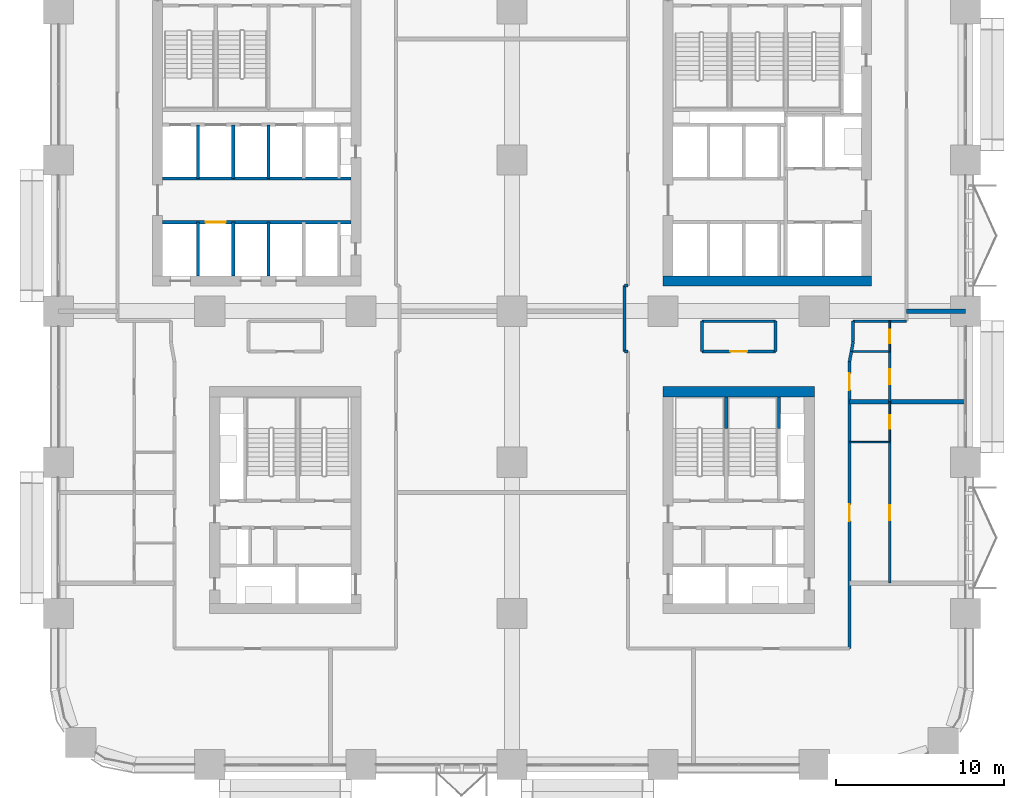
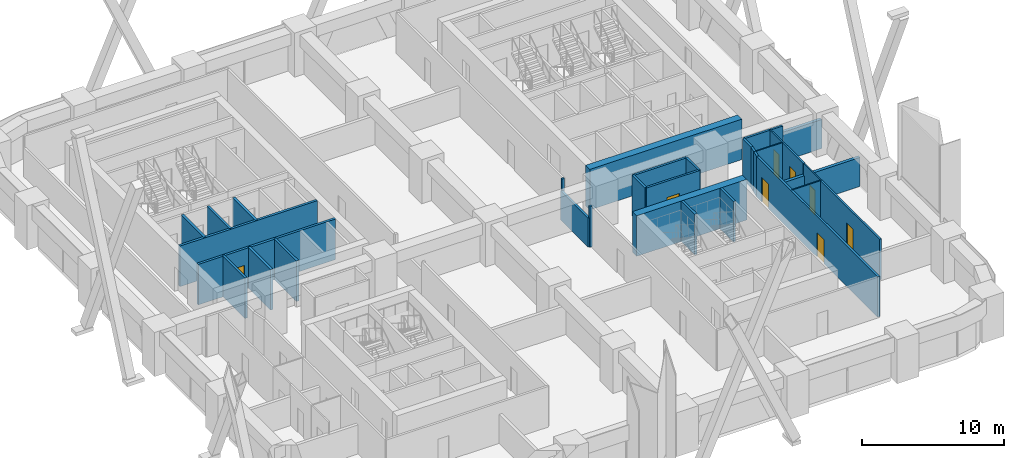
# One storey, part 17 of 24: 32 walls, 8 doors, 8 openings.
"""IFC4 building model written with IfcOpenShell, lengths in metres."""

from ifc_helpers import new_model, si_unit, direction, frame, frame_2d, origin, place, context, subcontext, project, spatial, rectangle, extrude, material, layer, layer_set, type_object, element, fill, save


model = new_model("IFC4")

# Units and contexts
model_context = context("Model", 3, precision=1e-05, world=origin(), true_north=direction((0.0, 1.0)))
body_context = subcontext(model_context, "Body", "Model", "MODEL_VIEW")
ifc_project = project(units=[si_unit("LENGTHUNIT", "METRE"), si_unit("AREAUNIT", "SQUARE_METRE"), si_unit("VOLUMEUNIT", "CUBIC_METRE"), si_unit("PLANEANGLEUNIT", "RADIAN"), si_unit("MASSUNIT", "GRAM", prefix="KILO")], contexts=[model_context])

# Site, building, storey
site_placement = place(None, origin())
site = spatial("IfcSite", under=ifc_project, at=site_placement, CompositionType="ELEMENT")
building_placement = place(site_placement, origin())
building = spatial("IfcBuilding", under=site, at=building_placement, Name="Tessera Arch", CompositionType="ELEMENT")
storey_placement = place(building_placement, frame((0.0, 0.0, 61.39990234375)))
storey = spatial("IfcBuildingStorey", under=building, at=storey_placement, Name="L13", CompositionType="ELEMENT", Elevation=61.39990234375)

# Walls
ifc_material_1 = material(Name="Concrete C70/85", Category="concrete")
ifc_layer_1 = layer(ifc_material_1, 0.60009765625)
ifc_layer_set_1 = layer_set([ifc_layer_1], Name="Core shell wall 600 C70-85")
wall_type_1 = type_object("IfcWallType", Name="Core shell wall 600 C70-85", PredefinedType="SHEAR", material=ifc_layer_set_1)
wall_1_placement = place(storey_placement, frame((36.0, 28.800048828125, 0.0), z_axis=(0.0, 0.0, 1.0), x_axis=(1.0, 0.0, 0.0)))
element("IfcWall", 1, at=wall_1_placement, inside=storey, type_object=wall_type_1, Name="L13 C1 core wall S", PredefinedType="SHEAR", context=body_context, shape_type="SweptSolid", body=[
    extrude(rectangle(XDim=12.39990234375, YDim=0.60009765625, at=frame_2d((6.199951171875, 0.0))), origin(), (0.0, 0.0, 1.0), 3.5),
])
wall_2_placement = place(storey_placement, frame((36.0, 22.199951171875, 0.0), z_axis=(0.0, 0.0, 1.0), x_axis=(1.0, 0.0, 0.0)))
element("IfcWall", 2, at=wall_2_placement, inside=storey, type_object=wall_type_1, Name="L13 C3 core wall N", PredefinedType="SHEAR", context=body_context, shape_type="SweptSolid", body=[
    extrude(rectangle(XDim=9.0, YDim=0.60009765625, at=frame_2d((4.5, 0.0))), origin(), (0.0, 0.0, 1.0), 3.5),
])
ifc_material_2 = material(Name="Gypsum board on deep steel stud with mineral wool", Category="steel")
ifc_layer_2 = layer(ifc_material_2, 0.175048828125)
ifc_layer_set_2 = layer_set([ifc_layer_2], Name="Corridor wall 175 EI 60")
wall_type_2 = type_object("IfcWallType", Name="Corridor wall 175 EI 60", PredefinedType="PARTITIONING", material=ifc_layer_set_2)
wall_3_placement = place(storey_placement, frame((33.699951171875, 24.590087890625, 0.0), z_axis=(0.0, 0.0, 1.0), x_axis=(1.0, 0.0, 0.0)))
element("IfcWall", 3, at=wall_3_placement, inside=storey, type_object=wall_type_2, Name="L13 partition 4", PredefinedType="PARTITIONING", context=body_context, shape_type="SweptSolid", body=[
    extrude(rectangle(XDim=0.199951171875, YDim=0.175048828125, at=frame_2d((0.10009765625, 0.0))), origin(), (0.0, 0.0, 1.0), 3.5),
])

# Wall, opening, door
wall_4_placement = place(storey_placement, frame((38.320068359375, 24.60009765625, 0.0), z_axis=(0.0, 0.0, 1.0), x_axis=(1.0, 0.0, 0.0)))
wall_4 = element("IfcWall", 4, at=wall_4_placement, inside=storey, type_object=wall_type_2, Name="L13 partition 6", PredefinedType="PARTITIONING", context=body_context, shape_type="SweptSolid", body=[
    extrude(rectangle(XDim=4.35986328125, YDim=0.175048828125, at=frame_2d((2.179931640625, 0.0))), origin(), (0.0, 0.0, 1.0), 3.5),
])
opening_1_placement = place(wall_4_placement, frame((1.679931640625, 0.0, 0.0)))
opening_1 = element("IfcOpeningElement", 5, at=opening_1_placement, cuts=wall_4, Name="Opening L13-D020", PredefinedType="OPENING", context=body_context, shape_type="SweptSolid", body=[
    extrude(rectangle(XDim=1.0, YDim=2.10009765625, at=frame_2d((0.5, 1.050048828125))), frame((0.0, 0.097412109375, 0.0), z_axis=(0.0, -1.0, 0.0), x_axis=(1.0, 0.0, 0.0)), (0.0, 0.0, 1.0), 0.195068359375),
])
ifc_material_3 = material(Name="Fire-rated door leaf")
door_type_1 = type_object("IfcDoorType", Name="Entrance door FD30S 1000 x 2100", OperationType="SINGLE_SWING_LEFT", PredefinedType="DOOR", material=ifc_material_3)
door_1_placement = place(opening_1_placement, origin())
door_1 = element("IfcDoor", 6, at=door_1_placement, inside=storey, type_object=door_type_1, Name="L13 door D020 type D03", OperationType="SINGLE_SWING_RIGHT", OverallHeight=2.10009765625, OverallWidth=1.0, PredefinedType="DOOR", context=body_context, shape_type="SweptSolid", body=[
    extrude(rectangle(XDim=1.0, YDim=2.10009765625, at=frame_2d((0.5, 1.050048828125))), frame((0.0, 0.02490234375, 0.0), z_axis=(0.0, -1.0, 0.0), x_axis=(1.0, 0.0, 0.0)), (0.0, 0.0, 1.0), 0.050048828125),
])
fill(opening_1, door_1)

# Walls
wall_5_placement = place(storey_placement, frame((38.320068359375, 26.39990234375, 0.0), z_axis=(0.0, 0.0, 1.0), x_axis=(1.0, 0.0, 0.0)))
element("IfcWall", 7, at=wall_5_placement, inside=storey, type_object=wall_type_2, Name="L13 partition 9", PredefinedType="PARTITIONING", context=body_context, shape_type="SweptSolid", body=[
    extrude(rectangle(XDim=4.35986328125, YDim=0.175048828125, at=frame_2d((2.179931640625, 0.0))), origin(), (0.0, 0.0, 1.0), 3.5),
])
wall_6_placement = place(storey_placement, frame((47.320068359375, 26.39990234375, 0.0), z_axis=(0.0, 0.0, 1.0), x_axis=(1.0, 0.0, 0.0)))
element("IfcWall", 8, at=wall_6_placement, inside=storey, type_object=wall_type_2, Name="L13 partition 10", PredefinedType="PARTITIONING", context=body_context, shape_type="SweptSolid", body=[
    extrude(rectangle(XDim=3.179931640625, YDim=0.175048828125, at=frame_2d((1.58984375, 0.0))), origin(), (0.0, 0.0, 1.0), 3.5),
])
wall_7_placement = place(storey_placement, frame((33.699951171875, 28.52001953125, 0.0), z_axis=(0.0, 0.0, 1.0), x_axis=(1.0, 0.0, 0.0)))
element("IfcWall", 9, at=wall_7_placement, inside=storey, type_object=wall_type_2, Name="L13 partition 12", PredefinedType="PARTITIONING", context=body_context, shape_type="SweptSolid", body=[
    extrude(rectangle(XDim=0.199951171875, YDim=0.175048828125, at=frame_2d((0.10009765625, 0.0))), origin(), (0.0, 0.0, 1.0), 3.5),
])
wall_8_placement = place(storey_placement, frame((33.699951171875, 24.590087890625, 0.0), z_axis=(0.0, 0.0, 1.0), x_axis=(0.0, 1.0, 0.0)))
element("IfcWall", 10, at=wall_8_placement, inside=storey, type_object=wall_type_2, Name="L13 partition 23", PredefinedType="PARTITIONING", context=body_context, shape_type="SweptSolid", body=[
    extrude(rectangle(XDim=3.929931640625, YDim=0.175048828125, at=frame_2d((1.96484375, 0.0))), origin(), (0.0, 0.0, 1.0), 2.5),
])
for number, where, z_axis, x_axis, name in (
    (11, (38.320068359375, 24.60009765625, 0.0), (0.0, 0.0, 1.0), (0.0, 1.0, 0.0), "L13 partition 26"),
    (12, (42.679931640625, 24.60009765625, 0.0), (0.0, 0.0, 1.0), (0.0, 1.0, 0.0), "L13 partition 27"),
):
    element("IfcWall", number, at=place(storey_placement, frame(where, z_axis=z_axis, x_axis=x_axis)), inside=storey, type_object=wall_type_2, Name=name, PredefinedType="PARTITIONING", context=body_context, shape_type="SweptSolid", body=[
        extrude(rectangle(XDim=1.7998046875, YDim=0.175048828125, at=frame_2d((0.89990234375, 0.0))), origin(), (0.0, 0.0, 1.0), 3.5),
    ])

# Wall, openings, doors
wall_9_placement = place(storey_placement, frame((47.10009765625, 6.89990234375, 0.0), z_axis=(0.0, 0.0, 1.0), x_axis=(0.0, 1.0, 0.0)))
wall_9 = element("IfcWall", 13, at=wall_9_placement, inside=storey, type_object=wall_type_2, Name="L13 partition 28", PredefinedType="PARTITIONING", context=body_context, shape_type="SweptSolid", body=[
    extrude(rectangle(XDim=17.090087890625, YDim=0.175048828125, at=frame_2d((8.544921875, 0.0))), origin(), (0.0, 0.0, 1.0), 3.5),
])
opening_2_placement = place(wall_9_placement, frame((7.60009765625, 0.0, 0.0)))
opening_2 = element("IfcOpeningElement", 14, at=opening_2_placement, cuts=wall_9, Name="Opening L13-D008", PredefinedType="OPENING", context=body_context, shape_type="SweptSolid", body=[
    extrude(rectangle(XDim=1.0, YDim=2.10009765625, at=frame_2d((0.5, 1.050048828125))), frame((0.0, 0.097412109375, 0.0), z_axis=(0.0, -1.0, 0.0), x_axis=(1.0, 0.0, 0.0)), (0.0, 0.0, 1.0), 0.195068359375),
])
opening_3_placement = place(wall_9_placement, frame((15.39501953125, 0.0, 0.0)))
opening_3 = element("IfcOpeningElement", 15, at=opening_3_placement, cuts=wall_9, Name="Opening L13-D016", PredefinedType="OPENING", context=body_context, shape_type="SweptSolid", body=[
    extrude(rectangle(XDim=1.0, YDim=2.10009765625, at=frame_2d((0.5, 1.050048828125))), frame((0.0, 0.097412109375, 0.0), z_axis=(0.0, -1.0, 0.0), x_axis=(1.0, 0.0, 0.0)), (0.0, 0.0, 1.0), 0.195068359375),
])
door_2_placement = place(opening_2_placement, origin())
door_2 = element("IfcDoor", 16, at=door_2_placement, inside=storey, type_object=door_type_1, Name="L13 door D008 type D03", OperationType="SINGLE_SWING_LEFT", OverallHeight=2.10009765625, OverallWidth=1.0, PredefinedType="DOOR", context=body_context, shape_type="SweptSolid", body=[
    extrude(rectangle(XDim=1.0, YDim=2.10009765625, at=frame_2d((0.5, 1.050048828125))), frame((0.0, 0.02490234375, 0.0), z_axis=(0.0, -1.0, 0.0), x_axis=(1.0, 0.0, 0.0)), (0.0, 0.0, 1.0), 0.050048828125),
])
fill(opening_2, door_2)
door_3_placement = place(opening_3_placement, origin())
door_3 = element("IfcDoor", 17, at=door_3_placement, inside=storey, type_object=door_type_1, Name="L13 door D016 type D03", OperationType="SINGLE_SWING_LEFT", OverallHeight=2.10009765625, OverallWidth=1.0, PredefinedType="DOOR", context=body_context, shape_type="SweptSolid", body=[
    extrude(rectangle(XDim=1.0, YDim=2.10009765625, at=frame_2d((0.5, 1.050048828125))), frame((0.0, 0.02490234375, 0.0), z_axis=(0.0, -1.0, 0.0), x_axis=(1.0, 0.0, 0.0)), (0.0, 0.0, 1.0), 0.050048828125),
])
fill(opening_3, door_3)

# Walls
wall_10_placement = place(storey_placement, frame((47.320068359375, 25.18994140625, 0.0), z_axis=(0.0, 0.0, 1.0), x_axis=(0.0, 1.0, 0.0)))
element("IfcWall", 18, at=wall_10_placement, inside=storey, type_object=wall_type_2, Name="L13 partition 29", PredefinedType="PARTITIONING", context=body_context, shape_type="SweptSolid", body=[
    extrude(rectangle(XDim=1.2099609375, YDim=0.175048828125, at=frame_2d((0.60498046875, 0.0))), origin(), (0.0, 0.0, 1.0), 3.5),
])
wall_11_placement = place(storey_placement, frame((47.212158203125, 24.60205078125, 0.0), z_axis=(0.0, 0.0, 1.0), x_axis=(-0.180093775654, -0.983649445672, 0.0)))
element("IfcWall", 19, at=wall_11_placement, inside=storey, type_object=wall_type_2, Name="L13 partition 57", PredefinedType="PARTITIONING", context=body_context, shape_type="SweptSolid", body=[
    extrude(rectangle(XDim=0.622314453125, YDim=0.175048828125, at=frame_2d((0.31103515625, 0.0))), origin(), (0.0, 0.0, 1.0), 3.5),
])
wall_12_placement = place(storey_placement, frame((47.320068359375, 25.18994140625, 0.0), z_axis=(0.0, 0.0, 1.0), x_axis=(-0.180491370225, -0.983576568079, 0.0)))
element("IfcWall", 20, at=wall_12_placement, inside=storey, type_object=wall_type_2, Name="L13 partition 58", PredefinedType="PARTITIONING", context=body_context, shape_type="SweptSolid", body=[
    extrude(rectangle(XDim=0.601806640625, YDim=0.175048828125, at=frame_2d((0.30078125, 0.0))), origin(), (0.0, 0.0, 1.0), 3.5),
])

# Wall, opening, door
ifc_material_4 = material(Name="Gypsum board on steel stud", Category="steel")
ifc_layer_3 = layer(ifc_material_4, 0.14990234375)
ifc_layer_set_3 = layer_set([ifc_layer_3], Name="Partition 150")
wall_type_3 = type_object("IfcWallType", Name="Partition 150", PredefinedType="PARTITIONING", material=ifc_layer_set_3)
wall_13_placement = place(storey_placement, frame((49.5, 10.800048828125, 0.0), z_axis=(0.0, 0.0, 1.0), x_axis=(0.0, 1.0, 0.0)))
wall_13 = element("IfcWall", 21, at=wall_13_placement, inside=storey, type_object=wall_type_3, Name="L13 partition 33", PredefinedType="PARTITIONING", context=body_context, shape_type="SweptSolid", body=[
    extrude(rectangle(XDim=8.39990234375, YDim=0.14990234375, at=frame_2d((4.199951171875, 0.0))), origin(), (0.0, 0.0, 1.0), 3.5),
])
opening_4_placement = place(wall_13_placement, frame((3.75, 0.0, 0.0)))
opening_4 = element("IfcOpeningElement", 22, at=opening_4_placement, cuts=wall_13, Name="Opening L13-D009", PredefinedType="OPENING", context=body_context, shape_type="SweptSolid", body=[
    extrude(rectangle(XDim=0.89990234375, YDim=2.10009765625, at=frame_2d((0.449951171875, 1.050048828125))), frame((0.0, 0.0849609375, 0.0), z_axis=(0.0, -1.0, 0.0), x_axis=(1.0, 0.0, 0.0)), (0.0, 0.0, 1.0), 0.169921875),
])
ifc_material_5 = material(Name="Timber door leaf", Category="wood")
door_type_2 = type_object("IfcDoorType", Name="Room door 900 x 2100", OperationType="SINGLE_SWING_LEFT", PredefinedType="DOOR", material=ifc_material_5)
door_4_placement = place(opening_4_placement, origin())
door_4 = element("IfcDoor", 23, at=door_4_placement, inside=storey, type_object=door_type_2, Name="L13 door D009 type D01", OperationType="SINGLE_SWING_RIGHT", OverallHeight=2.10009765625, OverallWidth=0.89990234375, PredefinedType="DOOR", context=body_context, shape_type="SweptSolid", body=[
    extrude(rectangle(XDim=0.89990234375, YDim=2.10009765625, at=frame_2d((0.449951171875, 1.050048828125))), frame((0.0, 0.02490234375, 0.0), z_axis=(0.0, -1.0, 0.0), x_axis=(1.0, 0.0, 0.0)), (0.0, 0.0, 1.0), 0.050048828125),
])
fill(opening_4, door_4)

wall_14_placement = place(storey_placement, frame((49.5, 21.60009765625, 0.0), z_axis=(0.0, 0.0, 1.0), x_axis=(0.0, 1.0, 0.0)))
wall_14 = element("IfcWall", 24, at=wall_14_placement, inside=storey, type_object=wall_type_3, Name="L13 partition 34", PredefinedType="PARTITIONING", context=body_context, shape_type="SweptSolid", body=[
    extrude(rectangle(XDim=3.0, YDim=0.14990234375, at=frame_2d((1.5, 0.0))), origin(), (0.0, 0.0, 1.0), 3.5),
])
opening_5_placement = place(wall_14_placement, frame((1.050048828125, 0.0, 0.0)))
opening_5 = element("IfcOpeningElement", 25, at=opening_5_placement, cuts=wall_14, Name="Opening L13-D017", PredefinedType="OPENING", context=body_context, shape_type="SweptSolid", body=[
    extrude(rectangle(XDim=0.89990234375, YDim=2.10009765625, at=frame_2d((0.449951171875, 1.050048828125))), frame((0.0, 0.0849609375, 0.0), z_axis=(0.0, -1.0, 0.0), x_axis=(1.0, 0.0, 0.0)), (0.0, 0.0, 1.0), 0.169921875),
])
door_5_placement = place(opening_5_placement, origin())
door_5 = element("IfcDoor", 26, at=door_5_placement, inside=storey, type_object=door_type_2, Name="L13 door D017 type D01", OperationType="SINGLE_SWING_RIGHT", OverallHeight=2.10009765625, OverallWidth=0.89990234375, PredefinedType="DOOR", context=body_context, shape_type="SweptSolid", body=[
    extrude(rectangle(XDim=0.89990234375, YDim=2.10009765625, at=frame_2d((0.449951171875, 1.050048828125))), frame((0.0, 0.02490234375, 0.0), z_axis=(0.0, -1.0, 0.0), x_axis=(1.0, 0.0, 0.0)), (0.0, 0.0, 1.0), 0.050048828125),
])
fill(opening_5, door_5)

# Walls
ifc_material_6 = material(Name="Double gypsum board on twin steel stud with acoustic mineral wool", Category="steel")
ifc_layer_4 = layer(ifc_material_6, 0.25)
ifc_layer_set_4 = layer_set([ifc_layer_4], Name="Party wall 250 EI 60")
wall_type_4 = type_object("IfcWallType", Name="Party wall 250 EI 60", PredefinedType="PARTITIONING", material=ifc_layer_set_4)
wall_15_placement = place(storey_placement, frame((47.10009765625, 21.60009765625, 0.0), z_axis=(0.0, 0.0, 1.0), x_axis=(1.0, 0.0, 0.0)))
element("IfcWall", 27, at=wall_15_placement, inside=storey, type_object=wall_type_4, Name="L13 partition 39", PredefinedType="PARTITIONING", context=body_context, shape_type="SweptSolid", body=[
    extrude(rectangle(XDim=6.89990234375, YDim=0.25, at=frame_2d((3.449951171875, 0.0))), origin(), (0.0, 0.0, 1.0), 2.5),
])
wall_16_placement = place(storey_placement, frame((50.5, 27.0, 0.0), z_axis=(0.0, 0.0, 1.0), x_axis=(1.0, 0.0, 0.0)))
element("IfcWall", 28, at=wall_16_placement, inside=storey, type_object=wall_type_4, Name="L13 partition 42", PredefinedType="PARTITIONING", context=body_context, shape_type="SweptSolid", body=[
    extrude(rectangle(XDim=3.5, YDim=0.25, at=frame_2d((1.75, 0.0))), origin(), (0.0, 0.0, 1.0), 2.5),
])
ifc_material_7 = material(Name="Concrete C40/50", Category="concrete")
ifc_layer_5 = layer(ifc_material_7, 0.199951171875)
ifc_layer_set_5 = layer_set([ifc_layer_5], Name="Shaft wall 200 EI 120")
wall_type_5 = type_object("IfcWallType", Name="Shaft wall 200 EI 120", PredefinedType="SOLIDWALL", material=ifc_layer_set_5)
wall_17_placement = place(storey_placement, frame((8.300048828125, 29.10009765625, 0.0), z_axis=(0.0, 0.0, 1.0), x_axis=(0.0, 1.0, 0.0)))
element("IfcWall", 29, at=wall_17_placement, inside=storey, type_object=wall_type_5, Name="L13 C2 shaft wall 1", PredefinedType="SOLIDWALL", context=body_context, shape_type="SweptSolid", body=[
    extrude(rectangle(XDim=3.199951171875, YDim=0.199951171875, at=frame_2d((1.60009765625, 0.0))), origin(), (0.0, 0.0, 1.0), 3.5),
])
wall_18_placement = place(storey_placement, frame((8.300048828125, 34.89990234375, 0.0), z_axis=(0.0, 0.0, 1.0), x_axis=(0.0, 1.0, 0.0)))
element("IfcWall", 30, at=wall_18_placement, inside=storey, type_object=wall_type_5, Name="L13 C2 shaft wall 2", PredefinedType="SOLIDWALL", context=body_context, shape_type="SweptSolid", body=[
    extrude(rectangle(XDim=3.2001953125, YDim=0.199951171875, at=frame_2d((1.60009765625, 0.0))), origin(), (0.0, 0.0, 1.0), 3.5),
])
wall_19_placement = place(storey_placement, frame((10.39990234375, 29.10009765625, 0.0), z_axis=(0.0, 0.0, 1.0), x_axis=(0.0, 1.0, 0.0)))
element("IfcWall", 31, at=wall_19_placement, inside=storey, type_object=wall_type_5, Name="L13 C2 shaft wall 5", PredefinedType="SOLIDWALL", context=body_context, shape_type="SweptSolid", body=[
    extrude(rectangle(XDim=3.199951171875, YDim=0.199951171875, at=frame_2d((1.60009765625, 0.0))), origin(), (0.0, 0.0, 1.0), 3.5),
])
wall_20_placement = place(storey_placement, frame((10.39990234375, 34.89990234375, 0.0), z_axis=(0.0, 0.0, 1.0), x_axis=(0.0, 1.0, 0.0)))
element("IfcWall", 32, at=wall_20_placement, inside=storey, type_object=wall_type_5, Name="L13 C2 shaft wall 6", PredefinedType="SOLIDWALL", context=body_context, shape_type="SweptSolid", body=[
    extrude(rectangle(XDim=3.2001953125, YDim=0.199951171875, at=frame_2d((1.60009765625, 0.0))), origin(), (0.0, 0.0, 1.0), 3.5),
])
wall_21_placement = place(storey_placement, frame((12.5, 29.10009765625, 0.0), z_axis=(0.0, 0.0, 1.0), x_axis=(0.0, 1.0, 0.0)))
element("IfcWall", 33, at=wall_21_placement, inside=storey, type_object=wall_type_5, Name="L13 C2 shaft wall 7", PredefinedType="SOLIDWALL", context=body_context, shape_type="SweptSolid", body=[
    extrude(rectangle(XDim=3.199951171875, YDim=0.199951171875, at=frame_2d((1.60009765625, 0.0))), origin(), (0.0, 0.0, 1.0), 3.5),
])
wall_22_placement = place(storey_placement, frame((12.5, 34.89990234375, 0.0), z_axis=(0.0, 0.0, 1.0), x_axis=(0.0, 1.0, 0.0)))
element("IfcWall", 34, at=wall_22_placement, inside=storey, type_object=wall_type_5, Name="L13 C2 shaft wall 8", PredefinedType="SOLIDWALL", context=body_context, shape_type="SweptSolid", body=[
    extrude(rectangle(XDim=3.2001953125, YDim=0.199951171875, at=frame_2d((1.60009765625, 0.0))), origin(), (0.0, 0.0, 1.0), 3.5),
])

# Wall, opening, door
wall_23_placement = place(storey_placement, frame((6.199951171875, 32.300048828125, 0.0), z_axis=(0.0, 0.0, 1.0), x_axis=(1.0, 0.0, 0.0)))
wall_23 = element("IfcWall", 35, at=wall_23_placement, inside=storey, type_object=wall_type_5, Name="L13 C2 shaft wall 16", PredefinedType="SOLIDWALL", context=body_context, shape_type="SweptSolid", body=[
    extrude(rectangle(XDim=11.199951171875, YDim=0.199951171875, at=frame_2d((5.60009765625, 0.0))), origin(), (0.0, 0.0, 1.0), 3.5),
])
opening_6_placement = place(wall_23_placement, frame((2.550048828125, 0.0, 0.0)))
opening_6 = element("IfcOpeningElement", 36, at=opening_6_placement, cuts=wall_23, Name="Opening L13-C15", PredefinedType="OPENING", context=body_context, shape_type="SweptSolid", body=[
    extrude(rectangle(XDim=1.199951171875, YDim=2.10009765625, at=frame_2d((0.60009765625, 1.050048828125))), frame((0.0, 0.10986328125, 0.0), z_axis=(0.0, -1.0, 0.0), x_axis=(1.0, 0.0, 0.0)), (0.0, 0.0, 1.0), 0.219970703125),
])
ifc_material_8 = material(Name="Stainless steel AISI 304", Category="steel")
door_type_3 = type_object("IfcDoorType", Name="Sliding landing door 1200 x 2100", OperationType="SLIDING_TO_LEFT", PredefinedType="DOOR", material=ifc_material_8)
door_6_placement = place(opening_6_placement, origin())
door_6 = element("IfcDoor", 37, at=door_6_placement, inside=storey, type_object=door_type_3, Name="L13 LR2 lift landing door C15 type LD", OperationType="SLIDING_TO_LEFT", OverallHeight=2.10009765625, OverallWidth=1.199951171875, PredefinedType="DOOR", context=body_context, shape_type="SweptSolid", body=[
    extrude(rectangle(XDim=1.199951171875, YDim=2.10009765625, at=frame_2d((0.60009765625, 1.050048828125))), frame((0.0, 0.02490234375, 0.0), z_axis=(0.0, -1.0, 0.0), x_axis=(1.0, 0.0, 0.0)), (0.0, 0.0, 1.0), 0.050048828125),
])
fill(opening_6, door_6)

# Walls
wall_24_placement = place(storey_placement, frame((6.199951171875, 34.89990234375, 0.0), z_axis=(0.0, 0.0, 1.0), x_axis=(1.0, 0.0, 0.0)))
element("IfcWall", 38, at=wall_24_placement, inside=storey, type_object=wall_type_5, Name="L13 C2 shaft wall 17", PredefinedType="SOLIDWALL", context=body_context, shape_type="SweptSolid", body=[
    extrude(rectangle(XDim=11.199951171875, YDim=0.199951171875, at=frame_2d((5.60009765625, 0.0))), origin(), (0.0, 0.0, 1.0), 3.5),
])
ifc_material_9 = material(Name="Concrete C40/50", Category="concrete")
ifc_layer_6 = layer(ifc_material_9, 0.199951171875)
ifc_layer_set_6 = layer_set([ifc_layer_6], Name="Stair well wall 200 REI 180")
wall_type_6 = type_object("IfcWallType", Name="Stair well wall 200 REI 180", PredefinedType="SOLIDWALL", material=ifc_layer_set_6)
for number, where, z_axis, x_axis, name in (
    (39, (39.75, 20.0, 0.0), (0.0, 0.0, 1.0), (0.0, 1.0, 0.0), "L13 C3 shaft wall 3"),
    (40, (42.89990234375, 20.0, 0.0), (0.0, 0.0, 1.0), (0.0, 1.0, 0.0), "L13 C3 shaft wall 7"),
):
    element("IfcWall", number, at=place(storey_placement, frame(where, z_axis=z_axis, x_axis=x_axis)), inside=storey, type_object=wall_type_6, Name=name, PredefinedType="SOLIDWALL", context=body_context, shape_type="SweptSolid", body=[
        extrude(rectangle(XDim=1.89990234375, YDim=0.199951171875, at=frame_2d((0.949951171875, 0.0))), origin(), (0.0, 0.0, 1.0), 3.5),
    ])
ifc_material_10 = material(Name="Moisture-resistant board on pre-plumbed steel stud", Category="steel")
ifc_layer_7 = layer(ifc_material_10, 0.10009765625)
ifc_layer_set_7 = layer_set([ifc_layer_7], Name="Wet wall 100")
wall_type_7 = type_object("IfcWallType", Name="Wet wall 100", PredefinedType="PARTITIONING", material=ifc_layer_set_7)
wall_25_placement = place(storey_placement, frame((47.10009765625, 19.199951171875, 0.0), z_axis=(0.0, 0.0, 1.0), x_axis=(1.0, 0.0, 0.0)))
element("IfcWall", 41, at=wall_25_placement, inside=storey, type_object=wall_type_7, Name="L13 partition 51", PredefinedType="PARTITIONING", context=body_context, shape_type="SweptSolid", body=[
    extrude(rectangle(XDim=2.39990234375, YDim=0.10009765625, at=frame_2d((1.199951171875, 0.0))), origin(), (0.0, 0.0, 1.0), 3.5),
])
wall_26_placement = place(storey_placement, frame((47.2119140625, 24.60009765625, 0.0), z_axis=(0.0, 0.0, 1.0), x_axis=(1.0, 0.0, 0.0)))
element("IfcWall", 42, at=wall_26_placement, inside=storey, type_object=wall_type_7, Name="L13 partition 52", PredefinedType="PARTITIONING", context=body_context, shape_type="SweptSolid", body=[
    extrude(rectangle(XDim=2.2880859375, YDim=0.10009765625, at=frame_2d((1.14404296875, 0.0))), origin(), (0.0, 0.0, 1.0), 3.5),
])

# Wall, opening, door
wall_27_placement = place(storey_placement, frame((49.5, 19.199951171875, 0.0), z_axis=(0.0, 0.0, 1.0), x_axis=(0.0, 1.0, 0.0)))
wall_27 = element("IfcWall", 43, at=wall_27_placement, inside=storey, type_object=wall_type_7, Name="L13 partition 55", PredefinedType="PARTITIONING", context=body_context, shape_type="SweptSolid", body=[
    extrude(rectangle(XDim=2.400146484375, YDim=0.10009765625, at=frame_2d((1.2001953125, 0.0))), origin(), (0.0, 0.0, 1.0), 3.5),
])
opening_7_placement = place(wall_27_placement, frame((0.800048828125, 0.0, 0.0)))
opening_7 = element("IfcOpeningElement", 44, at=opening_7_placement, cuts=wall_27, Name="Opening L13-D010", PredefinedType="OPENING", context=body_context, shape_type="SweptSolid", body=[
    extrude(rectangle(XDim=0.800048828125, YDim=2.10009765625, at=frame_2d((0.39990234375, 1.050048828125))), frame((0.0, 0.06005859375, 0.0), z_axis=(0.0, -1.0, 0.0), x_axis=(1.0, 0.0, 0.0)), (0.0, 0.0, 1.0), 0.1201171875),
])
ifc_material_11 = material(Name="Timber door leaf", Category="wood")
door_type_4 = type_object("IfcDoorType", Name="En-suite door 800 x 2100", OperationType="SINGLE_SWING_LEFT", PredefinedType="DOOR", material=ifc_material_11)
door_7_placement = place(opening_7_placement, origin())
door_7 = element("IfcDoor", 45, at=door_7_placement, inside=storey, type_object=door_type_4, Name="L13 door D010 type D02", OperationType="SINGLE_SWING_LEFT", OverallHeight=2.10009765625, OverallWidth=0.800048828125, PredefinedType="DOOR", context=body_context, shape_type="SweptSolid", body=[
    extrude(rectangle(XDim=0.800048828125, YDim=2.10009765625, at=frame_2d((0.39990234375, 1.050048828125))), frame((0.0, 0.02490234375, 0.0), z_axis=(0.0, -1.0, 0.0), x_axis=(1.0, 0.0, 0.0)), (0.0, 0.0, 1.0), 0.050048828125),
])
fill(opening_7, door_7)

wall_28_placement = place(storey_placement, frame((49.5, 24.60009765625, 0.0), z_axis=(0.0, 0.0, 1.0), x_axis=(0.0, 1.0, 0.0)))
wall_28 = element("IfcWall", 46, at=wall_28_placement, inside=storey, type_object=wall_type_7, Name="L13 partition 56", PredefinedType="PARTITIONING", context=body_context, shape_type="SweptSolid", body=[
    extrude(rectangle(XDim=1.7998046875, YDim=0.10009765625, at=frame_2d((0.89990234375, 0.0))), origin(), (0.0, 0.0, 1.0), 3.5),
])
opening_8_placement = place(wall_28_placement, frame((0.5, 0.0, 0.0)))
opening_8 = element("IfcOpeningElement", 47, at=opening_8_placement, cuts=wall_28, Name="Opening L13-D018", PredefinedType="OPENING", context=body_context, shape_type="SweptSolid", body=[
    extrude(rectangle(XDim=0.800048828125, YDim=2.10009765625, at=frame_2d((0.39990234375, 1.050048828125))), frame((0.0, 0.06005859375, 0.0), z_axis=(0.0, -1.0, 0.0), x_axis=(1.0, 0.0, 0.0)), (0.0, 0.0, 1.0), 0.1201171875),
])
door_8_placement = place(opening_8_placement, origin())
door_8 = element("IfcDoor", 48, at=door_8_placement, inside=storey, type_object=door_type_4, Name="L13 door D018 type D02", OperationType="SINGLE_SWING_LEFT", OverallHeight=2.10009765625, OverallWidth=0.800048828125, PredefinedType="DOOR", context=body_context, shape_type="SweptSolid", body=[
    extrude(rectangle(XDim=0.800048828125, YDim=2.10009765625, at=frame_2d((0.39990234375, 1.050048828125))), frame((0.0, 0.02490234375, 0.0), z_axis=(0.0, -1.0, 0.0), x_axis=(1.0, 0.0, 0.0)), (0.0, 0.0, 1.0), 0.050048828125),
])
fill(opening_8, door_8)

save(model, "model.ifc")
